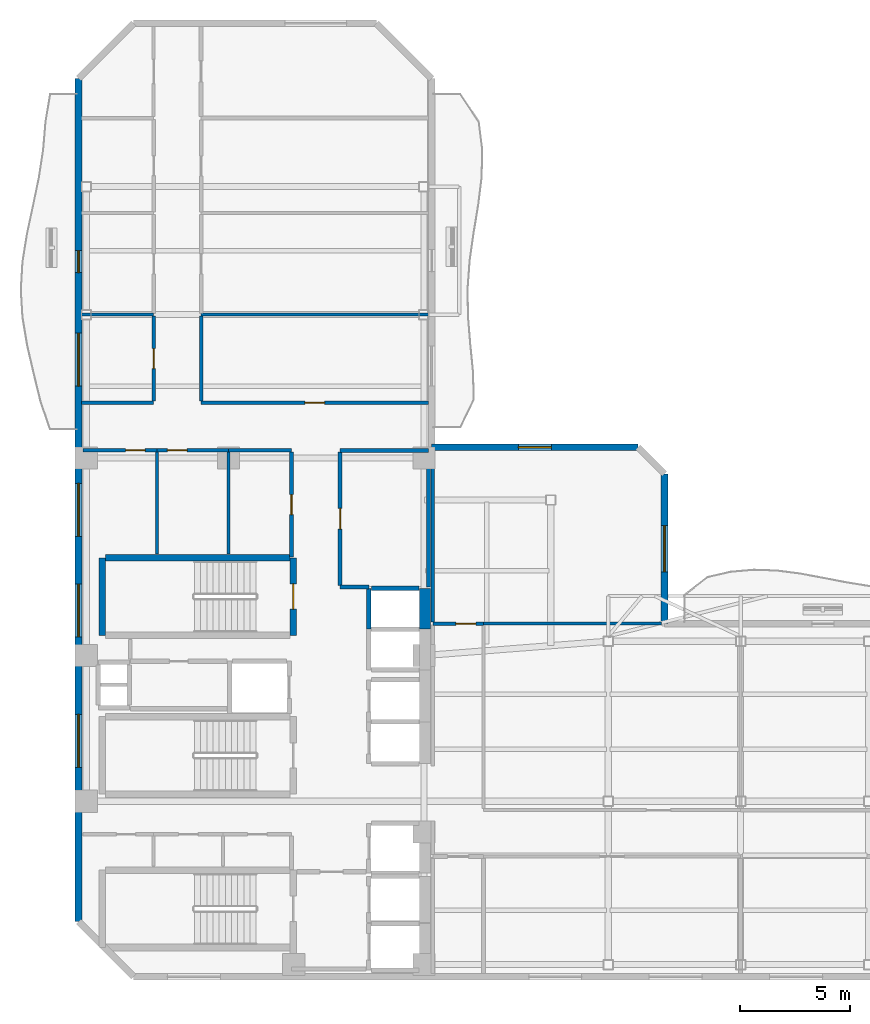
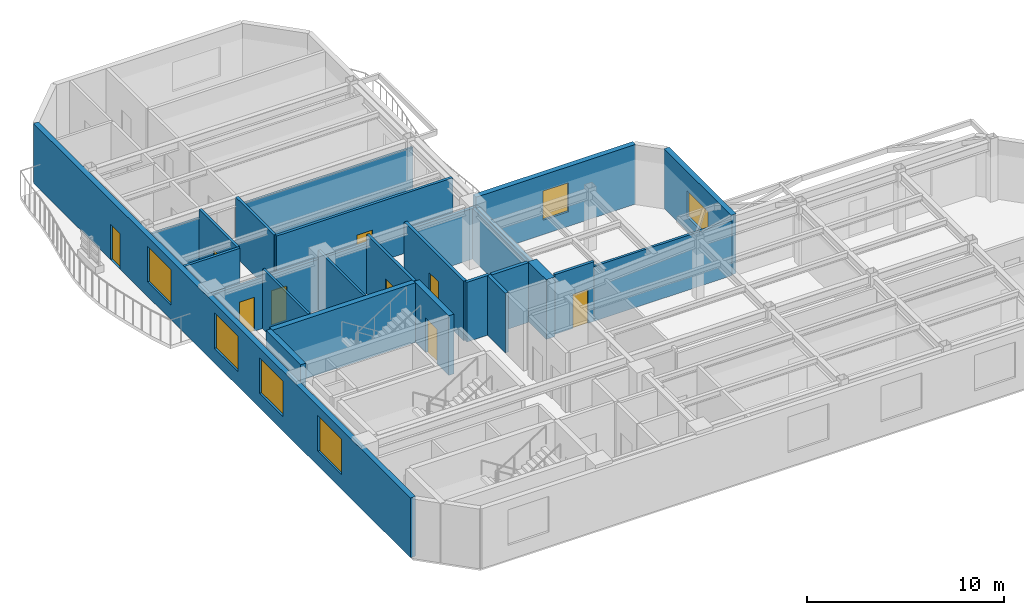
# One storey, part 4 of 8: 28 walls, 9 doors, 6 windows, 15 openings.
"""IFC4 building model written with IfcOpenShell, lengths in metres."""

from ifc_helpers import new_model, si_unit, direction, frame, frame_2d, origin, place, context, subcontext, project, spatial, rectangle, extrude, material, layer, layer_set, type_object, element, fill, save


model = new_model("IFC4")

# Units and contexts
model_context = context("Model", 3, precision=1e-05, world=origin(), true_north=direction((0.0, 1.0)))
body_context = subcontext(model_context, "Body", "Model", "MODEL_VIEW")
ifc_project = project(units=[si_unit("LENGTHUNIT", "METRE"), si_unit("AREAUNIT", "SQUARE_METRE"), si_unit("VOLUMEUNIT", "CUBIC_METRE"), si_unit("PLANEANGLEUNIT", "RADIAN"), si_unit("MASSUNIT", "GRAM", prefix="KILO")], contexts=[model_context])

# Site, building, storey
site_placement = place(None, origin())
site = spatial("IfcSite", under=ifc_project, at=site_placement, CompositionType="ELEMENT")
building_placement = place(site_placement, origin())
building = spatial("IfcBuilding", under=site, at=building_placement, Name="Mawjaban Terraces University", CompositionType="ELEMENT")
storey_placement = place(building_placement, frame((0.0, 0.0, 191.39990234375)))
storey = spatial("IfcBuildingStorey", under=building, at=storey_placement, Name="L46", CompositionType="ELEMENT", Elevation=191.39990234375)

# Walls
ifc_material_1 = material(Name="Acoustic masonry blockwork", Category="masonry")
ifc_layer_1 = layer(ifc_material_1, 0.179931640625)
ifc_layer_set_1 = layer_set([ifc_layer_1], Name="Acoustic masonry blockwork")
wall_type_1 = type_object("IfcWallType", Name="AcousticStudioWall_180", PredefinedType="PARTITIONING", material=ifc_layer_set_1)
wall_1_placement = place(storey_placement, frame((33.85009765625, 17.64990234375, 0.0), z_axis=(0.0, 0.0, 1.0), x_axis=(1.0, 0.0, 0.0)))
element("IfcWall", 1, at=wall_1_placement, inside=storey, type_object=wall_type_1, Name="L46 Graduate Research Collaboration Studio Partition 14", PredefinedType="PARTITIONING", context=body_context, shape_type="SweptSolid", body=[
    extrude(rectangle(XDim=1.2998046875, YDim=0.179931640625, at=frame_2d((0.64990234375, 0.0))), origin(), (0.0, 0.0, 1.0), 3.690185546875),
])
wall_2_placement = place(storey_placement, frame((37.85009765625, 23.85009765625, 0.0), z_axis=(0.0, 0.0, 1.0), x_axis=(-1.0, 0.0, 0.0)))
element("IfcWall", 2, at=wall_2_placement, inside=storey, type_object=wall_type_1, Name="L46 Graduate Research Collaboration Studio Partition 16", PredefinedType="PARTITIONING", context=body_context, shape_type="SweptSolid", body=[
    extrude(rectangle(XDim=4.0, YDim=0.179931640625, at=frame_2d((2.0, 0.0))), origin(), (0.0, 0.0, 1.0), 3.13916015625),
])

# Wall, opening, door
wall_3_placement = place(storey_placement, frame((33.85009765625, 17.735107421875, 0.0), z_axis=(0.0, 0.0, 1.0), x_axis=(0.0, 1.0, 0.0)))
wall_3 = element("IfcWall", 3, at=wall_3_placement, inside=storey, type_object=wall_type_1, Name="L46 Core North Lift Lobby Partition 43", PredefinedType="PARTITIONING", context=body_context, shape_type="SweptSolid", body=[
    extrude(rectangle(XDim=6.02978515625, YDim=0.179931640625, at=frame_2d((3.014892578125, 0.0))), origin(), (0.0, 0.0, 1.0), 3.690185546875),
])
opening_1_placement = place(wall_3_placement, frame((2.5400390625, 0.0, 0.0)))
opening_1 = element("IfcOpeningElement", 4, at=opening_1_placement, cuts=wall_3, Name="Opening ID-095", PredefinedType="OPENING", context=body_context, shape_type="SweptSolid", body=[
    extrude(rectangle(XDim=0.949951171875, YDim=2.10009765625, at=frame_2d((0.47509765625, 1.050048828125))), frame((0.0, 0.099853515625, 0.0), z_axis=(0.0, -1.0, 0.0), x_axis=(1.0, 0.0, 0.0)), (0.0, 0.0, 1.0), 0.199951171875),
])
ifc_material_2 = material(Name="Powder-coated steel frame and solid acoustic timber leaf", Category="steel")
door_type_1 = type_object("IfcDoorType", Name="StudioDoor_950x2100", OperationType="NOTDEFINED", PredefinedType="DOOR", material=ifc_material_2)
door_1_placement = place(opening_1_placement, origin())
door_1 = element("IfcDoor", 5, at=door_1_placement, inside=storey, type_object=door_type_1, Name="L46 Graduate Research Collaboration Studio Door", OperationType="SINGLE_SWING_RIGHT", OverallHeight=2.10009765625, OverallWidth=0.949951171875, PredefinedType="DOOR", context=body_context, shape_type="SweptSolid", body=[
    extrude(rectangle(XDim=0.949951171875, YDim=2.10009765625, at=frame_2d((0.47509765625, 1.050048828125))), frame((0.0, 0.02490234375, 0.0), z_axis=(0.0, -1.0, 0.0), x_axis=(1.0, 0.0, 0.0)), (0.0, 0.0, 1.0), 0.050048828125),
])
fill(opening_1, door_1)

# Walls
wall_4_placement = place(storey_placement, frame((37.85009765625, 17.64990234375, 0.0), z_axis=(0.0, 0.0, 1.0), x_axis=(0.0, 1.0, 0.0)))
element("IfcWall", 6, at=wall_4_placement, inside=storey, type_object=wall_type_1, Name="L46 Graduate Research Collaboration Studio Partition 44", PredefinedType="PARTITIONING", context=body_context, shape_type="SweptSolid", body=[
    extrude(rectangle(XDim=6.114990234375, YDim=0.179931640625, at=frame_2d((3.0576171875, 0.0))), origin(), (0.0, 0.0, 1.0), 3.13916015625),
])
wall_5_placement = place(storey_placement, frame((38.050048828125, 23.843017578125, 0.0), z_axis=(0.0, 0.0, 1.0), x_axis=(0.0, -1.0, 0.0)))
element("IfcWall", 7, at=wall_5_placement, inside=storey, type_object=wall_type_1, Name="L46 Terrace Collaborative Study Room Partition 48", PredefinedType="PARTITIONING", context=body_context, shape_type="SweptSolid", body=[
    extrude(rectangle(XDim=7.76806640625, YDim=0.179931640625, at=frame_2d((3.884033203125, 0.0))), origin(), (0.0, 0.0, 1.0), 3.13916015625),
])
ifc_material_3 = material(Name="Concrete C60/75", Category="concrete")
ifc_layer_2 = layer(ifc_material_3, 0.5)
ifc_layer_set_2 = layer_set([ifc_layer_2], Name="Concrete C60/75")
wall_type_2 = type_object("IfcWallType", Name="CoreShearWall_500", PredefinedType="SHEAR", material=ifc_layer_set_2)
wall_6_placement = place(storey_placement, frame((37.699951171875, 15.75, 0.0), z_axis=(0.0, 0.0, 1.0), x_axis=(0.0, 1.0, 0.0)))
element("IfcWall", 8, at=wall_6_placement, inside=storey, type_object=wall_type_2, Name="L46 Lift OL-2 Hoistway Wall East", PredefinedType="SHEAR", context=body_context, shape_type="SweptSolid", body=[
    extrude(rectangle(XDim=1.85009765625, YDim=0.5, at=frame_2d((0.925048828125, 0.0))), origin(), (0.0, 0.0, 1.0), 3.690185546875),
])
ifc_material_4 = material(Name="Fire-rated gypsum board on steel stud", Category="steel")
ifc_layer_3 = layer(ifc_material_4, 0.159912109375)
ifc_layer_set_3 = layer_set([ifc_layer_3], Name="Fire-rated gypsum board on steel stud")
wall_type_3 = type_object("IfcWallType", Name="CorridorPartition_160", PredefinedType="PARTITIONING", material=ifc_layer_set_3)
wall_7_placement = place(storey_placement, frame((25.39990234375, 26.0, 0.0), z_axis=(0.0, 0.0, 1.0), x_axis=(-1.0, 0.0, 0.0)))
element("IfcWall", 9, at=wall_7_placement, inside=storey, type_object=wall_type_3, Name="L46 North Core Cross-Corridor Partition 5", PredefinedType="PARTITIONING", context=body_context, shape_type="SweptSolid", body=[
    extrude(rectangle(XDim=3.2548828125, YDim=0.159912109375, at=frame_2d((1.62744140625, 0.0))), origin(), (0.0, 0.0, 1.0), 3.690185546875),
])

# Wall, opening, door
wall_8_placement = place(storey_placement, frame((25.550048828125, 23.85009765625, 0.0), z_axis=(0.0, 0.0, 1.0), x_axis=(-1.0, 0.0, 0.0)))
wall_8 = element("IfcWall", 10, at=wall_8_placement, inside=storey, type_object=wall_type_3, Name="L46 Ablution Room Partition 9", PredefinedType="PARTITIONING", context=body_context, shape_type="SweptSolid", body=[
    extrude(rectangle(XDim=3.35009765625, YDim=0.159912109375, at=frame_2d((1.675048828125, 0.0))), origin(), (0.0, 0.0, 1.0), 3.13916015625),
])
opening_2_placement = place(wall_8_placement, frame((0.534912109375, 0.0, 0.0)))
opening_2 = element("IfcOpeningElement", 11, at=opening_2_placement, cuts=wall_8, Name="Opening ID-088", PredefinedType="OPENING", context=body_context, shape_type="SweptSolid", body=[
    extrude(rectangle(XDim=0.8798828125, YDim=2.10009765625, at=frame_2d((0.43994140625, 1.050048828125))), frame((0.0, 0.08984375, 0.0), z_axis=(0.0, -1.0, 0.0), x_axis=(1.0, 0.0, 0.0)), (0.0, 0.0, 1.0), 0.179931640625),
])
door_type_2 = type_object("IfcDoorType", Name="ToiletDoor_880x2100", OperationType="NOTDEFINED", PredefinedType="DOOR", material=ifc_material_2)
door_2_placement = place(opening_2_placement, origin())
door_2 = element("IfcDoor", 12, at=door_2_placement, inside=storey, type_object=door_type_2, Name="L46 Ablution Room Door", OperationType="SINGLE_SWING_RIGHT", OverallHeight=2.10009765625, OverallWidth=0.8798828125, PredefinedType="DOOR", context=body_context, shape_type="SweptSolid", body=[
    extrude(rectangle(XDim=0.8798828125, YDim=2.10009765625, at=frame_2d((0.43994140625, 1.050048828125))), frame((0.0, 0.02490234375, 0.0), z_axis=(0.0, -1.0, 0.0), x_axis=(1.0, 0.0, 0.0)), (0.0, 0.0, 1.0), 0.050048828125),
])
fill(opening_2, door_2)

wall_9_placement = place(storey_placement, frame((28.800048828125, 23.85009765625, 0.0), z_axis=(0.0, 0.0, 1.0), x_axis=(-1.0, 0.0, 0.0)))
wall_9 = element("IfcWall", 13, at=wall_9_placement, inside=storey, type_object=wall_type_3, Name="L46 Cleaner Store Partition 11", PredefinedType="PARTITIONING", context=body_context, shape_type="SweptSolid", body=[
    extrude(rectangle(XDim=3.25, YDim=0.159912109375, at=frame_2d((1.625, 0.0))), origin(), (0.0, 0.0, 1.0), 3.13916015625),
])
opening_3_placement = place(wall_9_placement, frame((1.875, 0.0, 0.0)))
opening_3 = element("IfcOpeningElement", 14, at=opening_3_placement, cuts=wall_9, Name="Opening ID-090", PredefinedType="OPENING", context=body_context, shape_type="SweptSolid", body=[
    extrude(rectangle(XDim=0.89990234375, YDim=2.10009765625, at=frame_2d((0.449951171875, 1.050048828125))), frame((0.0, 0.08984375, 0.0), z_axis=(0.0, -1.0, 0.0), x_axis=(1.0, 0.0, 0.0)), (0.0, 0.0, 1.0), 0.179931640625),
])
door_type_3 = type_object("IfcDoorType", Name="OfficeDoor_900x2100", OperationType="NOTDEFINED", PredefinedType="DOOR", material=ifc_material_2)
door_3_placement = place(opening_3_placement, origin())
door_3 = element("IfcDoor", 15, at=door_3_placement, inside=storey, type_object=door_type_3, Name="L46 Cleaner Store Door", OperationType="SINGLE_SWING_LEFT", OverallHeight=2.10009765625, OverallWidth=0.89990234375, PredefinedType="DOOR", context=body_context, shape_type="SweptSolid", body=[
    extrude(rectangle(XDim=0.89990234375, YDim=2.10009765625, at=frame_2d((0.449951171875, 1.050048828125))), frame((0.0, 0.02490234375, 0.0), z_axis=(0.0, -1.0, 0.0), x_axis=(1.0, 0.0, 0.0)), (0.0, 0.0, 1.0), 0.050048828125),
])
fill(opening_3, door_3)

# Wall
wall_10_placement = place(storey_placement, frame((31.64990234375, 23.85009765625, 0.0), z_axis=(0.0, 0.0, 1.0), x_axis=(-1.0, 0.0, 0.0)))
element("IfcWall", 16, at=wall_10_placement, inside=storey, type_object=wall_type_3, Name="L46 Faculty Academic Resource Office Partition 13", PredefinedType="PARTITIONING", context=body_context, shape_type="SweptSolid", body=[
    extrude(rectangle(XDim=2.849853515625, YDim=0.159912109375, at=frame_2d((1.4248046875, 0.0))), origin(), (0.0, 0.0, 1.0), 3.13916015625),
])

# Wall, opening, door
wall_11_placement = place(storey_placement, frame((37.85009765625, 26.0, 0.0), z_axis=(0.0, 0.0, 1.0), x_axis=(-1.0, 0.0, 0.0)))
wall_11 = element("IfcWall", 17, at=wall_11_placement, inside=storey, type_object=wall_type_3, Name="L46 North Core Cross-Corridor Partition 17", PredefinedType="PARTITIONING", context=body_context, shape_type="SweptSolid", body=[
    extrude(rectangle(XDim=10.300048828125, YDim=0.159912109375, at=frame_2d((5.14990234375, 0.0))), origin(), (0.0, 0.0, 1.0), 3.690185546875),
])
opening_4_placement = place(wall_11_placement, frame((4.699951171875, 0.0, 0.0)))
opening_4 = element("IfcOpeningElement", 18, at=opening_4_placement, cuts=wall_11, Name="Opening ID-090", PredefinedType="OPENING", context=body_context, shape_type="SweptSolid", body=[
    extrude(rectangle(XDim=0.89990234375, YDim=2.10009765625, at=frame_2d((0.449951171875, 1.050048828125))), frame((0.0, 0.08984375, 0.0), z_axis=(0.0, -1.0, 0.0), x_axis=(1.0, 0.0, 0.0)), (0.0, 0.0, 1.0), 0.179931640625),
])
door_4_placement = place(opening_4_placement, origin())
door_4 = element("IfcDoor", 19, at=door_4_placement, inside=storey, type_object=door_type_3, Name="L46 Academic Workspace 7 Door", OperationType="SINGLE_SWING_RIGHT", OverallHeight=2.10009765625, OverallWidth=0.89990234375, PredefinedType="DOOR", context=body_context, shape_type="SweptSolid", body=[
    extrude(rectangle(XDim=0.89990234375, YDim=2.10009765625, at=frame_2d((0.449951171875, 1.050048828125))), frame((0.0, 0.02490234375, 0.0), z_axis=(0.0, -1.0, 0.0), x_axis=(1.0, 0.0, 0.0)), (0.0, 0.0, 1.0), 0.050048828125),
])
fill(opening_4, door_4)

wall_12_placement = place(storey_placement, frame((40.35009765625, 16.0, 0.0), z_axis=(0.0, 0.0, 1.0), x_axis=(-1.0, 0.0, 0.0)))
wall_12 = element("IfcWall", 20, at=wall_12_placement, inside=storey, type_object=wall_type_3, Name="L46 South Spine Spur Link Partition 23", PredefinedType="PARTITIONING", context=body_context, shape_type="SweptSolid", body=[
    extrude(rectangle(XDim=2.300048828125, YDim=0.159912109375, at=frame_2d((1.14990234375, 0.0))), origin(), (0.0, 0.0, 1.0), 3.690185546875),
])
opening_5_placement = place(wall_12_placement, frame((0.35009765625, 0.0, 0.0)))
opening_5 = element("IfcOpeningElement", 21, at=opening_5_placement, cuts=wall_12, Name="Opening ID-090", PredefinedType="OPENING", context=body_context, shape_type="SweptSolid", body=[
    extrude(rectangle(XDim=0.89990234375, YDim=2.10009765625, at=frame_2d((0.449951171875, 1.050048828125))), frame((0.0, 0.08984375, 0.0), z_axis=(0.0, -1.0, 0.0), x_axis=(1.0, 0.0, 0.0)), (0.0, 0.0, 1.0), 0.179931640625),
])
door_5_placement = place(opening_5_placement, origin())
door_5 = element("IfcDoor", 22, at=door_5_placement, inside=storey, type_object=door_type_3, Name="L46 Terrace Collaborative Study Room Door", OperationType="SINGLE_SWING_LEFT", OverallHeight=2.10009765625, OverallWidth=0.89990234375, PredefinedType="DOOR", context=body_context, shape_type="SweptSolid", body=[
    extrude(rectangle(XDim=0.89990234375, YDim=2.10009765625, at=frame_2d((0.449951171875, 1.050048828125))), frame((0.0, 0.02490234375, 0.0), z_axis=(0.0, -1.0, 0.0), x_axis=(1.0, 0.0, 0.0)), (0.0, 0.0, 1.0), 0.050048828125),
])
fill(opening_5, door_5)

wall_13_placement = place(storey_placement, frame((25.39990234375, 29.94189453125, 0.0), z_axis=(0.0, 0.0, 1.0), x_axis=(0.0, -1.0, 0.0)))
wall_13 = element("IfcWall", 23, at=wall_13_placement, inside=storey, type_object=wall_type_3, Name="L46 West Shifted Academic Corridor Partition 30", PredefinedType="PARTITIONING", context=body_context, shape_type="SweptSolid", body=[
    extrude(rectangle(XDim=3.866943359375, YDim=0.159912109375, at=frame_2d((1.93359375, 0.0))), origin(), (0.0, 0.0, 1.0), 3.690185546875),
])
opening_6_placement = place(wall_13_placement, frame((1.48388671875, 0.0, 0.0)))
opening_6 = element("IfcOpeningElement", 24, at=opening_6_placement, cuts=wall_13, Name="Opening ID-090", PredefinedType="OPENING", context=body_context, shape_type="SweptSolid", body=[
    extrude(rectangle(XDim=0.89990234375, YDim=2.10009765625, at=frame_2d((0.449951171875, 1.050048828125))), frame((0.0, 0.08984375, 0.0), z_axis=(0.0, -1.0, 0.0), x_axis=(1.0, 0.0, 0.0)), (0.0, 0.0, 1.0), 0.179931640625),
])
door_6_placement = place(opening_6_placement, origin())
door_6 = element("IfcDoor", 25, at=door_6_placement, inside=storey, type_object=door_type_3, Name="L46 Departmental Office 6 Door", OperationType="SINGLE_SWING_LEFT", OverallHeight=2.10009765625, OverallWidth=0.89990234375, PredefinedType="DOOR", context=body_context, shape_type="SweptSolid", body=[
    extrude(rectangle(XDim=0.89990234375, YDim=2.10009765625, at=frame_2d((0.449951171875, 1.050048828125))), frame((0.0, 0.02490234375, 0.0), z_axis=(0.0, -1.0, 0.0), x_axis=(1.0, 0.0, 0.0)), (0.0, 0.0, 1.0), 0.050048828125),
])
fill(opening_6, door_6)

# Wall
wall_14_placement = place(storey_placement, frame((27.550048828125, 26.074951171875, 0.0), z_axis=(0.0, 0.0, 1.0), x_axis=(0.0, 1.0, 0.0)))
element("IfcWall", 26, at=wall_14_placement, inside=storey, type_object=wall_type_3, Name="L46 West Shifted Academic Corridor Partition 35", PredefinedType="PARTITIONING", context=body_context, shape_type="SweptSolid", body=[
    extrude(rectangle(XDim=3.866943359375, YDim=0.159912109375, at=frame_2d((1.93359375, 0.0))), origin(), (0.0, 0.0, 1.0), 3.690185546875),
])

# Wall, opening, door
wall_15_placement = place(storey_placement, frame((31.64990234375, 19.010009765625, 0.0), z_axis=(0.0, 0.0, 1.0), x_axis=(0.0, 1.0, 0.0)))
wall_15 = element("IfcWall", 27, at=wall_15_placement, inside=storey, type_object=wall_type_3, Name="L46 Faculty Academic Resource Office Partition 42", PredefinedType="PARTITIONING", context=body_context, shape_type="SweptSolid", body=[
    extrude(rectangle(XDim=4.764892578125, YDim=0.159912109375, at=frame_2d((2.38232421875, 0.0))), origin(), (0.0, 0.0, 1.0), 3.690185546875),
])
opening_7_placement = place(wall_15_placement, frame((1.931884765625, 0.0, 0.0)))
opening_7 = element("IfcOpeningElement", 28, at=opening_7_placement, cuts=wall_15, Name="Opening ID-090", PredefinedType="OPENING", context=body_context, shape_type="SweptSolid", body=[
    extrude(rectangle(XDim=0.89990234375, YDim=2.10009765625, at=frame_2d((0.449951171875, 1.050048828125))), frame((0.0, 0.08984375, 0.0), z_axis=(0.0, -1.0, 0.0), x_axis=(1.0, 0.0, 0.0)), (0.0, 0.0, 1.0), 0.179931640625),
])
door_7_placement = place(opening_7_placement, origin())
door_7 = element("IfcDoor", 29, at=door_7_placement, inside=storey, type_object=door_type_3, Name="L46 Faculty Academic Resource Office Door", OperationType="SINGLE_SWING_LEFT", OverallHeight=2.10009765625, OverallWidth=0.89990234375, PredefinedType="DOOR", context=body_context, shape_type="SweptSolid", body=[
    extrude(rectangle(XDim=0.89990234375, YDim=2.10009765625, at=frame_2d((0.449951171875, 1.050048828125))), frame((0.0, 0.02490234375, 0.0), z_axis=(0.0, -1.0, 0.0), x_axis=(1.0, 0.0, 0.0)), (0.0, 0.0, 1.0), 0.050048828125),
])
fill(opening_7, door_7)

# Wall, opening, window
ifc_material_5 = material(Name="Insulated terracotta rainscreen on concrete backup C40/50", Category="masonry")
ifc_layer_4 = layer(ifc_material_5, 0.300048828125)
ifc_layer_set_4 = layer_set([ifc_layer_4], Name="Insulated terracotta rainscreen on concrete backup C40/50")
wall_type_4 = type_object("IfcWallType", Name="ExtTerracottaWall_300", PredefinedType="SOLIDWALL", material=ifc_layer_set_4)
wall_16_placement = place(storey_placement, frame((48.550048828125, 16.0, 0.0), z_axis=(0.0, 0.0, 1.0), x_axis=(0.0, 1.0, 0.0)))
wall_16 = element("IfcWall", 30, at=wall_16_placement, inside=storey, type_object=wall_type_4, Name="L46 Exterior Terracotta Wall 6", PredefinedType="SOLIDWALL", context=body_context, shape_type="SweptSolid", body=[
    extrude(rectangle(XDim=6.7880859375, YDim=0.300048828125, at=frame_2d((3.39404296875, 0.0))), origin(), (0.0, 0.0, 1.0), 3.690185546875),
])
opening_8_placement = place(wall_16_placement, frame((2.343994140625, 0.0, 0.89990234375)))
opening_8 = element("IfcOpeningElement", 31, at=opening_8_placement, cuts=wall_16, Name="Opening W-04", PredefinedType="OPENING", context=body_context, shape_type="SweptSolid", body=[
    extrude(rectangle(XDim=2.10009765625, YDim=1.60009765625, at=frame_2d((1.050048828125, 0.800048828125))), frame((0.0, 0.159912109375, 0.0), z_axis=(0.0, -1.0, 0.0), x_axis=(1.0, 0.0, 0.0)), (0.0, 0.0, 1.0), 0.320068359375),
])
ifc_material_6 = material(Name="Low-E solar-control double glazing in thermally broken aluminium frame", Category="aluminium")
window_type_1 = type_object("IfcWindowType", Name="Win_2100x1600", PartitioningType="SINGLE_PANEL", PredefinedType="WINDOW", material=ifc_material_6)
window_1_placement = place(opening_8_placement, origin())
window_1 = element("IfcWindow", 32, at=window_1_placement, inside=storey, type_object=window_type_1, Name="L46 Facade Window 6.1", OverallHeight=1.60009765625, OverallWidth=2.10009765625, PartitioningType="SINGLE_PANEL", PredefinedType="WINDOW", context=body_context, shape_type="SweptSolid", body=[
    extrude(rectangle(XDim=2.10009765625, YDim=1.60009765625, at=frame_2d((1.050048828125, 0.800048828125))), frame((0.0, 0.030029296875, 0.0), z_axis=(0.0, -1.0, 0.0), x_axis=(1.0, 0.0, 0.0)), (0.0, 0.0, 1.0), 0.06005859375),
])
fill(opening_8, window_1)

wall_17_placement = place(storey_placement, frame((47.35009765625, 23.988037109375, 0.0), z_axis=(0.0, 0.0, 1.0), x_axis=(-1.0, 0.0, 0.0)))
wall_17 = element("IfcWall", 33, at=wall_17_placement, inside=storey, type_object=wall_type_4, Name="L46 Exterior Terracotta Wall 8", PredefinedType="SOLIDWALL", context=body_context, shape_type="SweptSolid", body=[
    extrude(rectangle(XDim=9.35009765625, YDim=0.300048828125, at=frame_2d((4.675048828125, 0.0))), origin(), (0.0, 0.0, 1.0), 3.690185546875),
])
opening_9_placement = place(wall_17_placement, frame((3.925048828125, 0.0, 0.89990234375)))
opening_9 = element("IfcOpeningElement", 34, at=opening_9_placement, cuts=wall_17, Name="Opening W-06", PredefinedType="OPENING", context=body_context, shape_type="SweptSolid", body=[
    extrude(rectangle(XDim=1.5, YDim=1.800048828125, at=frame_2d((0.75, 0.89990234375))), frame((0.0, 0.159912109375, 0.0), z_axis=(0.0, -1.0, 0.0), x_axis=(1.0, 0.0, 0.0)), (0.0, 0.0, 1.0), 0.320068359375),
])
window_type_2 = type_object("IfcWindowType", Name="Win_1500x1800", PartitioningType="SINGLE_PANEL", PredefinedType="WINDOW", material=ifc_material_6)
window_2_placement = place(opening_9_placement, origin())
window_2 = element("IfcWindow", 35, at=window_2_placement, inside=storey, type_object=window_type_2, Name="L46 Facade Window 8.1", OverallHeight=1.800048828125, OverallWidth=1.5, PartitioningType="SINGLE_PANEL", PredefinedType="WINDOW", context=body_context, shape_type="SweptSolid", body=[
    extrude(rectangle(XDim=1.5, YDim=1.800048828125, at=frame_2d((0.75, 0.89990234375))), frame((0.0, 0.030029296875, 0.0), z_axis=(0.0, -1.0, 0.0), x_axis=(1.0, 0.0, 0.0)), (0.0, 0.0, 1.0), 0.06005859375),
])
fill(opening_9, window_2)

# Wall, openings, door, windows
wall_18_placement = place(storey_placement, frame((22.0, 40.699951171875, 0.0), z_axis=(0.0, 0.0, 1.0), x_axis=(0.0, -1.0, 0.0)))
wall_18 = element("IfcWall", 36, at=wall_18_placement, inside=storey, type_object=wall_type_4, Name="L46 Exterior Terracotta Wall 13", PredefinedType="SOLIDWALL", context=body_context, shape_type="SweptSolid", body=[
    extrude(rectangle(XDim=38.199951171875, YDim=0.300048828125, at=frame_2d((19.10009765625, 0.0))), origin(), (0.0, 0.0, 1.0), 3.690185546875),
])
opening_10_placement = place(wall_18_placement, frame((7.800048828125, 0.0, 0.0)))
opening_10 = element("IfcOpeningElement", 37, at=opening_10_placement, cuts=wall_18, Name="Opening BD-100", PredefinedType="OPENING", context=body_context, shape_type="SweptSolid", body=[
    extrude(rectangle(XDim=1.0, YDim=2.199951171875, at=frame_2d((0.5, 1.10009765625))), frame((0.0, 0.159912109375, 0.0), z_axis=(0.0, -1.0, 0.0), x_axis=(1.0, 0.0, 0.0)), (0.0, 0.0, 1.0), 0.320068359375),
])
opening_11_placement = place(wall_18_placement, frame((11.54296875, 0.0, 0.89990234375)))
opening_11 = element("IfcOpeningElement", 38, at=opening_11_placement, cuts=wall_18, Name="Opening W-11", PredefinedType="OPENING", context=body_context, shape_type="SweptSolid", body=[
    extrude(rectangle(XDim=2.39990234375, YDim=2.199951171875, at=frame_2d((1.199951171875, 1.10009765625))), frame((0.0, 0.159912109375, 0.0), z_axis=(0.0, -1.0, 0.0), x_axis=(1.0, 0.0, 0.0)), (0.0, 0.0, 1.0), 0.320068359375),
])
opening_12_placement = place(wall_18_placement, frame((18.35009765625, 0.0, 0.89990234375)))
opening_12 = element("IfcOpeningElement", 39, at=opening_12_placement, cuts=wall_18, Name="Opening W-11", PredefinedType="OPENING", context=body_context, shape_type="SweptSolid", body=[
    extrude(rectangle(XDim=2.39990234375, YDim=2.199951171875, at=frame_2d((1.199951171875, 1.10009765625))), frame((0.0, 0.159912109375, 0.0), z_axis=(0.0, -1.0, 0.0), x_axis=(1.0, 0.0, 0.0)), (0.0, 0.0, 1.0), 0.320068359375),
])
opening_13_placement = place(wall_18_placement, frame((22.906982421875, 0.0, 0.89990234375)))
opening_13 = element("IfcOpeningElement", 40, at=opening_13_placement, cuts=wall_18, Name="Opening W-11", PredefinedType="OPENING", context=body_context, shape_type="SweptSolid", body=[
    extrude(rectangle(XDim=2.39990234375, YDim=2.199951171875, at=frame_2d((1.199951171875, 1.10009765625))), frame((0.0, 0.159912109375, 0.0), z_axis=(0.0, -1.0, 0.0), x_axis=(1.0, 0.0, 0.0)), (0.0, 0.0, 1.0), 0.320068359375),
])
opening_14_placement = place(wall_18_placement, frame((28.81396484375, 0.0, 0.89990234375)))
opening_14 = element("IfcOpeningElement", 41, at=opening_14_placement, cuts=wall_18, Name="Opening W-11", PredefinedType="OPENING", context=body_context, shape_type="SweptSolid", body=[
    extrude(rectangle(XDim=2.39990234375, YDim=2.199951171875, at=frame_2d((1.199951171875, 1.10009765625))), frame((0.0, 0.159912109375, 0.0), z_axis=(0.0, -1.0, 0.0), x_axis=(1.0, 0.0, 0.0)), (0.0, 0.0, 1.0), 0.320068359375),
])
ifc_material_7 = material(Name="Thermally broken anodised aluminium and laminated safety glass", Category="aluminium")
door_type_4 = type_object("IfcDoorType", Name="BalconyGlazedDoor_1000x2200", OperationType="NOTDEFINED", PredefinedType="DOOR", material=ifc_material_7)
door_8_placement = place(opening_10_placement, origin())
door_8 = element("IfcDoor", 42, at=door_8_placement, inside=storey, type_object=door_type_4, Name="L46 Balcony Access Door west", OperationType="SINGLE_SWING_LEFT", OverallHeight=2.199951171875, OverallWidth=1.0, PredefinedType="DOOR", context=body_context, shape_type="SweptSolid", body=[
    extrude(rectangle(XDim=1.0, YDim=2.199951171875, at=frame_2d((0.5, 1.10009765625))), frame((0.0, 0.02490234375, 0.0), z_axis=(0.0, -1.0, 0.0), x_axis=(1.0, 0.0, 0.0)), (0.0, 0.0, 1.0), 0.050048828125),
])
fill(opening_10, door_8)
window_type_3 = type_object("IfcWindowType", Name="Win_2400x2200", PartitioningType="SINGLE_PANEL", PredefinedType="WINDOW", material=ifc_material_6)
window_3_placement = place(opening_11_placement, origin())
window_3 = element("IfcWindow", 43, at=window_3_placement, inside=storey, type_object=window_type_3, Name="L46 Facade Window 13.3", OverallHeight=2.199951171875, OverallWidth=2.39990234375, PartitioningType="SINGLE_PANEL", PredefinedType="WINDOW", context=body_context, shape_type="SweptSolid", body=[
    extrude(rectangle(XDim=2.39990234375, YDim=2.199951171875, at=frame_2d((1.199951171875, 1.10009765625))), frame((0.0, 0.030029296875, 0.0), z_axis=(0.0, -1.0, 0.0), x_axis=(1.0, 0.0, 0.0)), (0.0, 0.0, 1.0), 0.06005859375),
])
fill(opening_11, window_3)
window_4_placement = place(opening_12_placement, origin())
window_4 = element("IfcWindow", 44, at=window_4_placement, inside=storey, type_object=window_type_3, Name="L46 Facade Window 13.4", OverallHeight=2.199951171875, OverallWidth=2.39990234375, PartitioningType="SINGLE_PANEL", PredefinedType="WINDOW", context=body_context, shape_type="SweptSolid", body=[
    extrude(rectangle(XDim=2.39990234375, YDim=2.199951171875, at=frame_2d((1.199951171875, 1.10009765625))), frame((0.0, 0.030029296875, 0.0), z_axis=(0.0, -1.0, 0.0), x_axis=(1.0, 0.0, 0.0)), (0.0, 0.0, 1.0), 0.06005859375),
])
fill(opening_12, window_4)
window_5_placement = place(opening_13_placement, origin())
window_5 = element("IfcWindow", 45, at=window_5_placement, inside=storey, type_object=window_type_3, Name="L46 Facade Window 13.5", OverallHeight=2.199951171875, OverallWidth=2.39990234375, PartitioningType="SINGLE_PANEL", PredefinedType="WINDOW", context=body_context, shape_type="SweptSolid", body=[
    extrude(rectangle(XDim=2.39990234375, YDim=2.199951171875, at=frame_2d((1.199951171875, 1.10009765625))), frame((0.0, 0.030029296875, 0.0), z_axis=(0.0, -1.0, 0.0), x_axis=(1.0, 0.0, 0.0)), (0.0, 0.0, 1.0), 0.06005859375),
])
fill(opening_13, window_5)
window_6_placement = place(opening_14_placement, origin())
window_6 = element("IfcWindow", 46, at=window_6_placement, inside=storey, type_object=window_type_3, Name="L46 Facade Window 13.6", OverallHeight=2.199951171875, OverallWidth=2.39990234375, PartitioningType="SINGLE_PANEL", PredefinedType="WINDOW", context=body_context, shape_type="SweptSolid", body=[
    extrude(rectangle(XDim=2.39990234375, YDim=2.199951171875, at=frame_2d((1.199951171875, 1.10009765625))), frame((0.0, 0.030029296875, 0.0), z_axis=(0.0, -1.0, 0.0), x_axis=(1.0, 0.0, 0.0)), (0.0, 0.0, 1.0), 0.06005859375),
])
fill(opening_14, window_6)

# Walls
ifc_material_8 = material(Name="Concrete C40/50", Category="concrete")
ifc_layer_5 = layer(ifc_material_8, 0.199951171875)
ifc_layer_set_5 = layer_set([ifc_layer_5], Name="Concrete C40/50")
wall_type_5 = type_object("IfcWallType", Name="FireLobbyWall_200", PredefinedType="SOLIDWALL", material=ifc_layer_set_5)
wall_19_placement = place(storey_placement, frame((35.14990234375, 17.60009765625, 0.0), z_axis=(0.0, 0.0, 1.0), x_axis=(0.0, -1.0, 0.0)))
element("IfcWall", 47, at=wall_19_placement, inside=storey, type_object=wall_type_5, Name="L46 Lift OL-2 Hoistway Wall West", PredefinedType="SOLIDWALL", context=body_context, shape_type="SweptSolid", body=[
    extrude(rectangle(XDim=1.85009765625, YDim=0.199951171875, at=frame_2d((0.925048828125, 0.0))), origin(), (0.0, 0.0, 1.0), 3.690185546875),
])
wall_20_placement = place(storey_placement, frame((37.419921875, 17.60009765625, 0.0), z_axis=(0.0, 0.0, 1.0), x_axis=(-1.0, 0.0, 0.0)))
element("IfcWall", 48, at=wall_20_placement, inside=storey, type_object=wall_type_5, Name="L46 Lift OL-2 Hoistway Wall North", PredefinedType="SOLIDWALL", context=body_context, shape_type="SweptSolid", body=[
    extrude(rectangle(XDim=2.139892578125, YDim=0.199951171875, at=frame_2d((1.06982421875, 0.0))), origin(), (0.0, 0.0, 1.0), 3.690185546875),
])
ifc_material_9 = material(Name="Moisture-resistant gypsum board on steel stud", Category="steel")
ifc_layer_6 = layer(ifc_material_9, 0.14501953125)
ifc_layer_set_6 = layer_set([ifc_layer_6], Name="Moisture-resistant gypsum board on steel stud")
wall_type_6 = type_object("IfcWallType", Name="LabPartition_145", PredefinedType="PARTITIONING", material=ifc_layer_set_6)
wall_21_placement = place(storey_placement, frame((40.35009765625, 16.0, 0.0), z_axis=(0.0, 0.0, 1.0), x_axis=(1.0, 0.0, 0.0)))
element("IfcWall", 49, at=wall_21_placement, inside=storey, type_object=wall_type_6, Name="L46 Terrace Collaborative Study Room Partition 24", PredefinedType="PARTITIONING", context=body_context, shape_type="SweptSolid", body=[
    extrude(rectangle(XDim=8.054931640625, YDim=0.14501953125, at=frame_2d((4.02734375, 0.0))), origin(), (0.0, 0.0, 1.0), 3.39013671875),
])
ifc_material_10 = material(Name="Gypsum plasterboard on steel stud", Category="steel")
ifc_layer_7 = layer(ifc_material_10, 0.125)
ifc_layer_set_7 = layer_set([ifc_layer_7], Name="Gypsum plasterboard on steel stud")
wall_type_7 = type_object("IfcWallType", Name="OfficePartition_125", PredefinedType="PARTITIONING", material=ifc_layer_set_7)
wall_22_placement = place(storey_placement, frame((25.39990234375, 30.0, 0.0), z_axis=(0.0, 0.0, 1.0), x_axis=(-1.0, 0.0, 0.0)))
element("IfcWall", 50, at=wall_22_placement, inside=storey, type_object=wall_type_7, Name="L46 Departmental Office 6 Partition 6", PredefinedType="PARTITIONING", context=body_context, shape_type="SweptSolid", body=[
    extrude(rectangle(XDim=3.2548828125, YDim=0.125, at=frame_2d((1.62744140625, 0.0))), origin(), (0.0, 0.0, 1.0), 3.13916015625),
])
wall_23_placement = place(storey_placement, frame((37.85009765625, 30.0, 0.0), z_axis=(0.0, 0.0, 1.0), x_axis=(-1.0, 0.0, 0.0)))
element("IfcWall", 51, at=wall_23_placement, inside=storey, type_object=wall_type_7, Name="L46 Academic Workspace 7 Partition 18", PredefinedType="PARTITIONING", context=body_context, shape_type="SweptSolid", body=[
    extrude(rectangle(XDim=10.300048828125, YDim=0.125, at=frame_2d((5.14990234375, 0.0))), origin(), (0.0, 0.0, 1.0), 3.13916015625),
])
wall_24_placement = place(storey_placement, frame((28.800048828125, 23.77490234375, 0.0), z_axis=(0.0, 0.0, 1.0), x_axis=(0.0, -1.0, 0.0)))
element("IfcWall", 52, at=wall_24_placement, inside=storey, type_object=wall_type_7, Name="L46 Faculty Academic Resource Office Partition 40", PredefinedType="PARTITIONING", context=body_context, shape_type="SweptSolid", body=[
    extrude(rectangle(XDim=4.614990234375, YDim=0.125, at=frame_2d((2.3076171875, 0.0))), origin(), (0.0, 0.0, 1.0), 3.690185546875),
])
ifc_layer_8 = layer(ifc_material_3, 0.300048828125)
ifc_layer_set_8 = layer_set([ifc_layer_8], Name="Concrete C60/75")
wall_type_8 = type_object("IfcWallType", Name="StairShaftWall_300", PredefinedType="SHEAR", material=ifc_layer_set_8)
wall_25_placement = place(storey_placement, frame((31.580078125, 18.97998046875, 0.0), z_axis=(0.0, 0.0, 1.0), x_axis=(-1.0, 0.0, 0.0)))
element("IfcWall", 53, at=wall_25_placement, inside=storey, type_object=wall_type_8, Name="L46 ST-2 Stair Shaft Wall 1", PredefinedType="SHEAR", context=body_context, shape_type="SweptSolid", body=[
    extrude(rectangle(XDim=8.360107421875, YDim=0.300048828125, at=frame_2d((4.18017578125, 0.0))), origin(), (0.0, 0.0, 1.0), 3.690185546875),
])
wall_26_placement = place(storey_placement, frame((23.070068359375, 18.97998046875, 0.0), z_axis=(0.0, 0.0, 1.0), x_axis=(0.0, -1.0, 0.0)))
element("IfcWall", 54, at=wall_26_placement, inside=storey, type_object=wall_type_8, Name="L46 ST-2 Stair Shaft Wall 2", PredefinedType="SHEAR", context=body_context, shape_type="SweptSolid", body=[
    extrude(rectangle(XDim=3.510009765625, YDim=0.300048828125, at=frame_2d((1.7548828125, 0.0))), origin(), (0.0, 0.0, 1.0), 3.690185546875),
])

# Wall, opening, door
wall_27_placement = place(storey_placement, frame((31.72998046875, 15.469970703125, 0.0), z_axis=(0.0, 0.0, 1.0), x_axis=(0.0, 1.0, 0.0)))
wall_27 = element("IfcWall", 55, at=wall_27_placement, inside=storey, type_object=wall_type_8, Name="L46 ST-2 Stair Shaft Wall 4", PredefinedType="SHEAR", context=body_context, shape_type="SweptSolid", body=[
    extrude(rectangle(XDim=3.510009765625, YDim=0.300048828125, at=frame_2d((1.7548828125, 0.0))), origin(), (0.0, 0.0, 1.0), 3.690185546875),
])
opening_15_placement = place(wall_27_placement, frame((1.179931640625, 0.0, 0.0)))
opening_15 = element("IfcOpeningElement", 56, at=opening_15_placement, cuts=wall_27, Name="Opening FD-115", PredefinedType="OPENING", context=body_context, shape_type="SweptSolid", body=[
    extrude(rectangle(XDim=1.14990234375, YDim=2.14990234375, at=frame_2d((0.574951171875, 1.074951171875))), frame((0.0, 0.159912109375, 0.0), z_axis=(0.0, -1.0, 0.0), x_axis=(1.0, 0.0, 0.0)), (0.0, 0.0, 1.0), 0.320068359375),
])
ifc_material_11 = material(Name="Powder-coated steel frame and fire-rated steel-faced leaf", Category="steel")
door_type_5 = type_object("IfcDoorType", Name="FireStairDoor_1150x2150", OperationType="NOTDEFINED", PredefinedType="DOOR", material=ifc_material_11)
door_9_placement = place(opening_15_placement, origin())
door_9 = element("IfcDoor", 57, at=door_9_placement, inside=storey, type_object=door_type_5, Name="L46 ST-2 Pressurised Stair Fire Door", OperationType="SINGLE_SWING_LEFT", OverallHeight=2.14990234375, OverallWidth=1.14990234375, PredefinedType="DOOR", context=body_context, shape_type="SweptSolid", body=[
    extrude(rectangle(XDim=1.14990234375, YDim=2.14990234375, at=frame_2d((0.574951171875, 1.074951171875))), frame((0.0, 0.02490234375, 0.0), z_axis=(0.0, -1.0, 0.0), x_axis=(1.0, 0.0, 0.0)), (0.0, 0.0, 1.0), 0.050048828125),
])
fill(opening_15, door_9)

# Wall
ifc_material_12 = material(Name="Cement-board wet-room partition", Category="masonry")
ifc_layer_9 = layer(ifc_material_12, 0.135009765625)
ifc_layer_set_9 = layer_set([ifc_layer_9], Name="Cement-board wet-room partition")
wall_type_9 = type_object("IfcWallType", Name="WetRoomPartition_135", PredefinedType="PARTITIONING", material=ifc_layer_set_9)
wall_28_placement = place(storey_placement, frame((25.550048828125, 19.159912109375, 0.0), z_axis=(0.0, 0.0, 1.0), x_axis=(0.0, 1.0, 0.0)))
element("IfcWall", 58, at=wall_28_placement, inside=storey, type_object=wall_type_9, Name="L46 Ablution Room Partition 34", PredefinedType="PARTITIONING", context=body_context, shape_type="SweptSolid", body=[
    extrude(rectangle(XDim=4.614990234375, YDim=0.135009765625, at=frame_2d((2.3076171875, 0.0))), origin(), (0.0, 0.0, 1.0), 3.690185546875),
])

save(model, "model.ifc")
